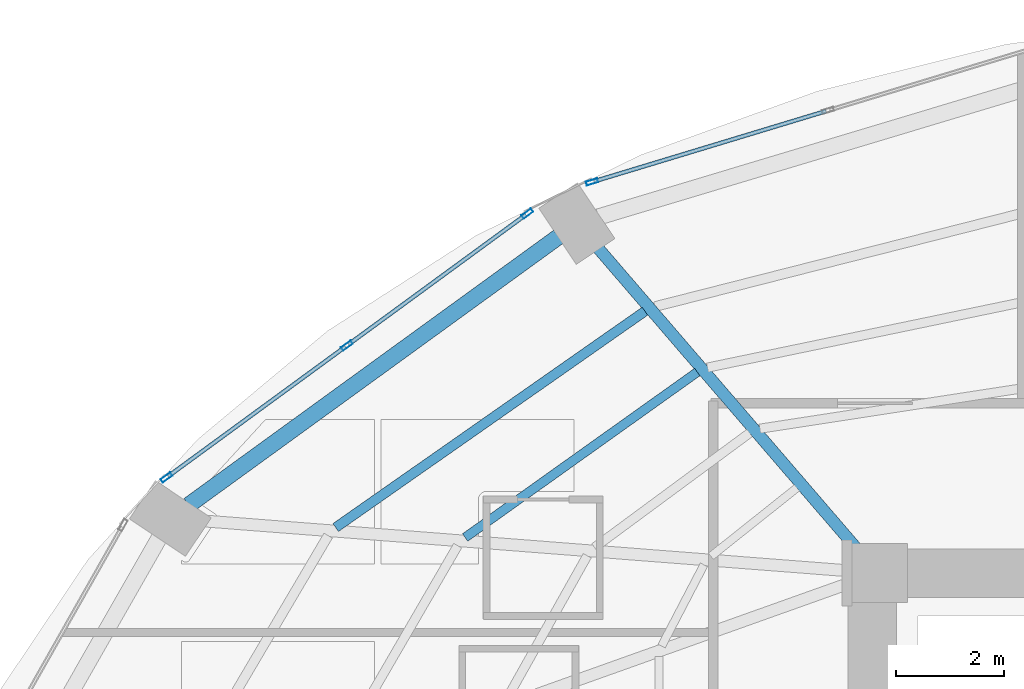
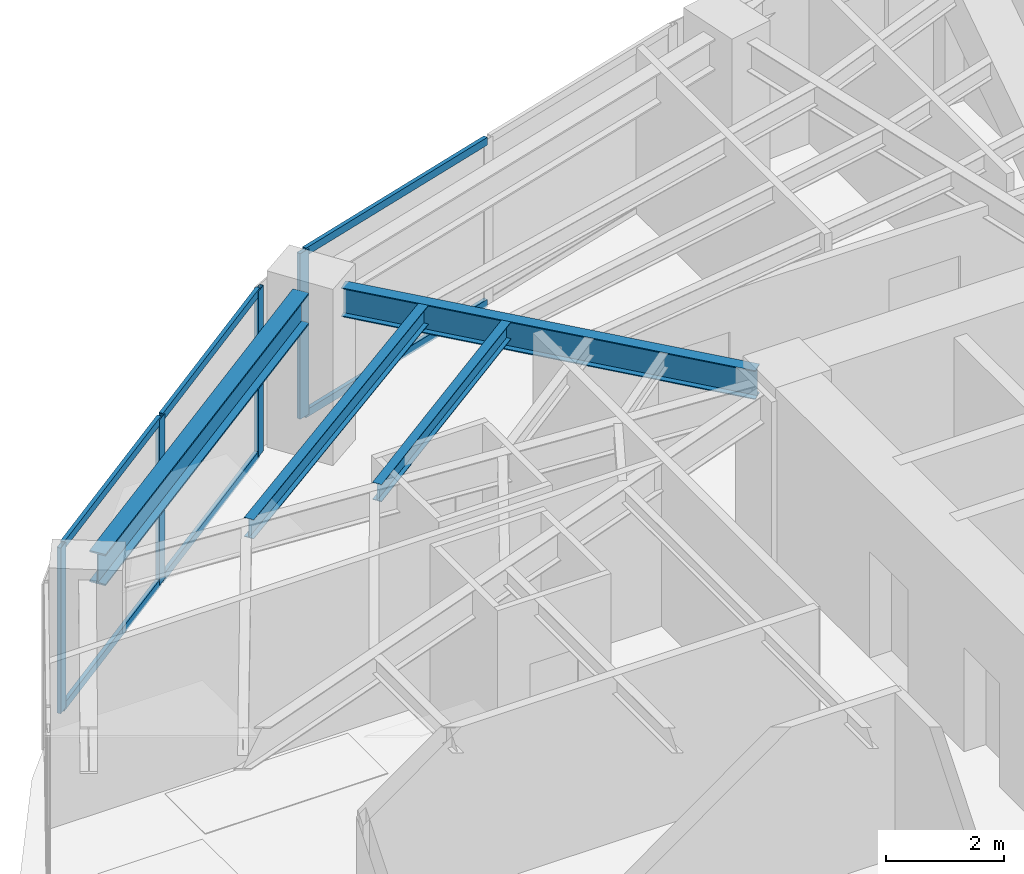
# One storey, part 14 of 25: 10 members, 4 beams, 2 elements without a shape of their own.
"""IFC4 building model written with IfcOpenShell, lengths in metres."""

import ifcopenshell
import ifcopenshell.guid

model = None  # the IFC model being written
_history = None  # IfcOwnerHistory: only IFC2X3 demands one
_inside = {}  # id of a spatial element -> (the spatial element, [elements in it])
_under = {}  # id of a project, library or spatial element -> (it, [spatial elements below it])
_declared = {}  # id of a project -> (the project, [libraries it declares])
_typed = {}  # id of a type object -> (the type object, [elements of that type])
_made_of = {}  # id of a material, layer set ... -> (it, [elements and type objects made of it])


def new_model(schema):
    """Start an empty IFC model of exactly this schema.

    Asked for "IFC4X3", IfcOpenShell would pick the latest addendum, in which some entities
    have other attributes; the version numbers below select the first issue.
    IFC2X3 requires an IfcOwnerHistory on every rooted entity: one is made here for all.
    """
    global model, _history
    if schema == "IFC4X3":
        model = ifcopenshell.file(schema_version=(4, 3, 0, 0))
    else:
        model = ifcopenshell.file(schema=schema)
    _inside.clear()
    _under.clear()
    _declared.clear()
    _typed.clear()
    _made_of.clear()
    _history = None
    if model.schema == "IFC2X3":
        org = make("IfcOrganization", Name="unknown")
        user = make(
            "IfcPersonAndOrganization",
            ThePerson=make("IfcPerson", FamilyName="unknown"),
            TheOrganization=org,
        )
        app = make(
            "IfcApplication",
            ApplicationDeveloper=org,
            Version="unknown",
            ApplicationFullName="unknown",
            ApplicationIdentifier="unknown",
        )
        _history = make(
            "IfcOwnerHistory",
            OwningUser=user,
            OwningApplication=app,
            ChangeAction="ADDED",
            CreationDate=0,
        )
    return model


def make(cls, **values):
    """One entity of the class cls with the attributes given. An attribute that is None is left unset."""
    return model.create_entity(
        cls, **{name: value for name, value in values.items() if value is not None}
    )


def rooted(cls, **values):
    """An entity with a GlobalId (a new one), such as an element, a storey or a relation."""
    return make(cls, GlobalId=ifcopenshell.guid.new(), OwnerHistory=_history, **values)


def si_unit(unit_type, name, prefix=None):
    """IfcSIUnit, for example si_unit("LENGTHUNIT", "METRE", prefix="MILLI")."""
    return make("IfcSIUnit", UnitType=unit_type, Prefix=prefix, Name=name)


def assignment(units):
    """IfcUnitAssignment: the units of a project."""
    return None if units is None else make("IfcUnitAssignment", Units=units)


def point(xyz):
    """IfcCartesianPoint."""
    return None if xyz is None else make("IfcCartesianPoint", Coordinates=xyz)


def direction(xyz):
    """IfcDirection."""
    return None if xyz is None else make("IfcDirection", DirectionRatios=xyz)


def frame(location, z_axis=None, x_axis=None):
    """IfcAxis2Placement3D, a coordinate frame: its origin and axes. An axis left out is left unset."""
    return make(
        "IfcAxis2Placement3D",
        Location=point(location),
        Axis=direction(z_axis),
        RefDirection=direction(x_axis),
    )


def frame_2d(location, x_axis=None):
    """IfcAxis2Placement2D, a coordinate frame in the plane: its origin and x axis."""
    return make(
        "IfcAxis2Placement2D", Location=point(location), RefDirection=direction(x_axis)
    )


def origin():
    """The frame at (0, 0, 0) with its axes left unset."""
    return frame((0.0, 0.0, 0.0))


def origin_2d():
    """The frame at (0, 0) in the plane with its x axis left unset."""
    return frame_2d((0.0, 0.0))


def place(relative_to, where):
    """IfcLocalPlacement: puts the frame where relative to a parent placement (None: the world)."""
    return make(
        "IfcLocalPlacement", PlacementRelTo=relative_to, RelativePlacement=where
    )


def context(
    kind, dimensions, precision=None, world=None, true_north=None, identifier=None
):
    """IfcGeometricRepresentationContext, for example the 3D "Model" context."""
    return make(
        "IfcGeometricRepresentationContext",
        ContextIdentifier=identifier,
        ContextType=kind,
        CoordinateSpaceDimension=dimensions,
        Precision=precision,
        WorldCoordinateSystem=world,
        TrueNorth=true_north,
    )


def subcontext(parent, identifier, kind, view, scale=None):
    """IfcGeometricRepresentationSubContext, for example "Body" below "Model"."""
    return make(
        "IfcGeometricRepresentationSubContext",
        ContextIdentifier=identifier,
        ContextType=kind,
        ParentContext=parent,
        TargetScale=scale,
        TargetView=view,
    )


def project(units=None, contexts=None):
    """IfcProject with its units and contexts."""
    return rooted(
        "IfcProject",
        Name="project",
        RepresentationContexts=contexts,
        UnitsInContext=assignment(units),
    )


def spatial(cls, under=None, at=None, **own):
    """A site, building, storey or space (cls), placed at a placement, below another one or the project."""
    s = rooted(cls, ObjectPlacement=at, **own)
    if under is not None:
        _under.setdefault(under.id(), (under, []))[1].append(s)
    return s


def profile(cls, at=None, kind="AREA", **sizes):
    """A parametric profile (cls). Its sizes go by their IFC names, for example OverallWidth=200.0."""
    return make(cls, ProfileType=kind, Position=at, **sizes)


def hollow_rectangle(**sizes):
    """IfcRectangleHollowProfileDef."""
    return profile("IfcRectangleHollowProfileDef", **sizes)


def i_section(**sizes):
    """IfcIShapeProfileDef."""
    return profile("IfcIShapeProfileDef", **sizes)


def extrude(swept, where, along, depth):
    """IfcExtrudedAreaSolid: the profile swept, set in the frame where, extruded along a direction by depth."""
    return make(
        "IfcExtrudedAreaSolid",
        SweptArea=swept,
        Position=where,
        ExtrudedDirection=direction(along),
        Depth=depth,
    )


def shape(context_of_items, identifier, shape_type, items):
    """IfcShapeRepresentation: the items that make up one representation, for example the "Body"."""
    return make(
        "IfcShapeRepresentation",
        ContextOfItems=context_of_items,
        RepresentationIdentifier=identifier,
        RepresentationType=shape_type,
        Items=items,
    )


def material(Name=None, Category=None):
    """IfcMaterial."""
    return make("IfcMaterial", Name=Name, Category=Category)


def layer(
    of_material, thickness, ventilated=None, Name=None, Category=None, Priority=None
):
    """IfcMaterialLayer: one layer of a wall or slab, of a material (None: an air gap)."""
    return make(
        "IfcMaterialLayer",
        Material=of_material,
        LayerThickness=thickness,
        IsVentilated=ventilated,
        Name=Name,
        Category=Category,
        Priority=Priority,
    )


def layer_set(layers, Name=None):
    """IfcMaterialLayerSet."""
    return make("IfcMaterialLayerSet", MaterialLayers=layers, LayerSetName=Name)


def material_profile(
    of_material, cross_section, Name=None, Category=None, Priority=None
):
    """IfcMaterialProfile: a cross section and its material."""
    return make(
        "IfcMaterialProfile",
        Name=Name,
        Material=of_material,
        Profile=cross_section,
        Priority=Priority,
        Category=Category,
    )


def profile_set(profiles, Name=None, composite=None):
    """IfcMaterialProfileSet."""
    return make(
        "IfcMaterialProfileSet",
        Name=Name,
        MaterialProfiles=profiles,
        CompositeProfile=composite,
    )


def made_of(thing, what):
    """Note that an element or type object is made of a material, layer set ...; save() writes the relation."""
    if what is not None:
        _made_of.setdefault(what.id(), (what, []))[1].append(thing)
    return thing


def type_object(cls, material=None, **own):
    """A type object (cls), such as IfcWallType, which elements share."""
    return made_of(rooted(cls, **own), material)


def element(
    cls,
    number,
    at=None,
    inside=None,
    cuts=None,
    type_object=None,
    material=None,
    context=None,
    identifier="Body",
    shape_type=None,
    held_by="IfcProductDefinitionShape",
    body=None,
    shapes=None,
    **own,
):
    """One element of the class cls, such as IfcWall. Its Tag is "e" and its number.

    at: its placement. inside: the storey or other place that contains it. cuts: it is an
    opening in that element (IfcRelVoidsElement). A single representation is given by context,
    identifier, shape_type and body (its items); several are given by shapes. held_by: the class
    of the entity that holds the representations. save() writes the other relations.
    """
    e = rooted(cls, Tag="e%d" % number, ObjectPlacement=at, **own)
    if body is not None:
        shapes = [shape(context, identifier, shape_type, body)]
    if shapes is not None:
        e.Representation = make(held_by, Representations=shapes)
    if inside is not None:
        _inside.setdefault(inside.id(), (inside, []))[1].append(e)
    if cuts is not None:
        rooted(
            "IfcRelVoidsElement", RelatingBuildingElement=cuts, RelatedOpeningElement=e
        )
    if type_object is not None:
        _typed.setdefault(type_object.id(), (type_object, []))[1].append(e)
    return made_of(e, material)


def aggregate(whole, parts):
    """IfcRelAggregates: a whole, such as a stair, and the parts it consists of."""
    return rooted("IfcRelAggregates", RelatingObject=whole, RelatedObjects=parts)


def save(model, path):
    """Write the relations noted so far, then the file.

    IfcRelAggregates (storeys below a building ...), IfcRelContainedInSpatialStructure (elements
    in a storey), IfcRelDefinesByType, IfcRelAssociatesMaterial and IfcRelDeclares: one each for
    every whole, place, type object, material and project.
    """
    for whole, parts in _under.values():
        aggregate(whole, parts)
    for where, things in _inside.values():
        rooted(
            "IfcRelContainedInSpatialStructure",
            RelatedElements=things,
            RelatingStructure=where,
        )
    for kind, things in _typed.values():
        rooted("IfcRelDefinesByType", RelatedObjects=things, RelatingType=kind)
    for what, things in _made_of.values():
        rooted("IfcRelAssociatesMaterial", RelatedObjects=things, RelatingMaterial=what)
    for by, libraries in _declared.values():
        rooted("IfcRelDeclares", RelatingContext=by, RelatedDefinitions=libraries)
    model.write(path)


model = new_model("IFC4")

# Units and contexts
model_context = context("Model", 3, precision=1e-05, world=origin(), true_north=direction((0.0, 1.0)))
body_context = subcontext(model_context, "Body", "Model", "MODEL_VIEW")
ifc_project = project(units=[si_unit("LENGTHUNIT", "METRE"), si_unit("AREAUNIT", "SQUARE_METRE"), si_unit("VOLUMEUNIT", "CUBIC_METRE"), si_unit("PLANEANGLEUNIT", "RADIAN"), si_unit("MASSUNIT", "GRAM", prefix="KILO")], contexts=[model_context])

# Site, building, storey
site_placement = place(None, origin())
site = spatial("IfcSite", under=ifc_project, at=site_placement, CompositionType="ELEMENT")
building_placement = place(site_placement, origin())
building = spatial("IfcBuilding", under=site, at=building_placement, Name="Lazwardi Medical Tower", CompositionType="ELEMENT")
storey_placement = place(building_placement, frame((0.0, 0.0, 47.087890625)))
storey = spatial("IfcBuildingStorey", under=building, at=storey_placement, Name="L11", CompositionType="ELEMENT", Elevation=47.087890625)

# Beams
ifc_material_1 = material(Name="Steel S355", Category="steel")
ifc_material_profile_1 = material_profile(ifc_material_1, i_section(OverallWidth=0.300048828125, OverallDepth=0.64990234375, WebThickness=0.01611328125, FlangeThickness=0.031005859375, at=origin_2d()), Name="HEB 650")
ifc_profile_set_1 = profile_set([ifc_material_profile_1], Name="Steel S355")
beam_type_1 = type_object("IfcBeamType", Name="BM-RB-Z1", PredefinedType="BEAM", material=ifc_profile_set_1)
beam_1_placement = place(storey_placement, frame((20.47900390625, 41.83740234375, 3.10302734375), z_axis=(-0.80939338516, -0.5872668457, 0.0), x_axis=(0.5872668457, -0.80939338516, 0.0)))
element("IfcBeam", 1, at=beam_1_placement, inside=storey, type_object=beam_type_1, Name="Ring beam RB-02 B10 L11", PredefinedType="BEAM", context=body_context, shape_type="SweptSolid", body=[
    extrude(i_section(OverallWidth=0.300048828125, OverallDepth=0.64990234375, WebThickness=0.01611328125, FlangeThickness=0.031005859375, at=origin_2d()), origin(), (0.0, 0.0, 1.0), 8.47412109375),
])
ifc_material_profile_2 = material_profile(ifc_material_1, i_section(OverallWidth=0.219970703125, OverallDepth=0.60009765625, WebThickness=0.011962890625, FlangeThickness=0.01904296875, at=origin_2d()), Name="IPE 600")
ifc_profile_set_2 = profile_set([ifc_material_profile_2], Name="Steel S355")
beam_type_2 = type_object("IfcBeamType", Name="BM-RG-W1", PredefinedType="BEAM", material=ifc_profile_set_2)
beam_2_placement = place(storey_placement, frame((21.197509765625, 41.644287109375, 3.128173828125), z_axis=(0.652368190463, -0.757902199543, 0.0), x_axis=(0.757902199543, 0.652368190463, 0.0)))
element("IfcBeam", 2, at=beam_2_placement, inside=storey, type_object=beam_type_2, Name="Radial girder RG-02 R10 L11", PredefinedType="BEAM", context=body_context, shape_type="SweptSolid", body=[
    extrude(i_section(OverallWidth=0.219970703125, OverallDepth=0.60009765625, WebThickness=0.011962890625, FlangeThickness=0.01904296875, at=origin_2d()), origin(), (0.0, 0.0, 1.0), 7.43994140625),
])
ifc_material_profile_3 = material_profile(ifc_material_1, i_section(OverallWidth=0.179931640625, OverallDepth=0.39990234375, WebThickness=0.008544921875, FlangeThickness=0.013427734375, at=origin_2d()), Name="IPE 400")
ifc_profile_set_3 = profile_set([ifc_material_profile_3], Name="Steel S355")
beam_type_3 = type_object("IfcBeamType", Name="BM-SJ-01", PredefinedType="JOIST", material=ifc_profile_set_3)
beam_3_placement = place(storey_placement, frame((22.08203125, 40.456298828125, 3.22802734375), z_axis=(-0.81942522483, -0.573186096231, 0.0), x_axis=(0.573186096231, -0.81942522483, 0.0)))
element("IfcBeam", 3, at=beam_3_placement, inside=storey, type_object=beam_type_3, Name="Secondary joist SJ-01 R1 B10 L11", PredefinedType="JOIST", context=body_context, shape_type="SweptSolid", body=[
    extrude(i_section(OverallWidth=0.179931640625, OverallDepth=0.39990234375, WebThickness=0.008544921875, FlangeThickness=0.013427734375, at=origin_2d()), origin(), (0.0, 0.0, 1.0), 6.999755859375),
])
ifc_material_profile_4 = material_profile(ifc_material_1, i_section(OverallWidth=0.169921875, OverallDepth=0.360107421875, WebThickness=0.008056640625, FlangeThickness=0.0126953125, at=origin_2d()), Name="IPE 360")
ifc_profile_set_4 = profile_set([ifc_material_profile_4], Name="Steel S355")
beam_type_4 = type_object("IfcBeamType", Name="BM-SJ-02", PredefinedType="JOIST", material=ifc_profile_set_4)
beam_4_placement = place(storey_placement, frame((23.05322265625, 39.327880859375, 3.248046875), z_axis=(-0.814341377136, -0.580386183058, 0.0), x_axis=(0.580386183058, -0.814341377136, 0.0)))
element("IfcBeam", 4, at=beam_4_placement, inside=storey, type_object=beam_type_4, Name="Secondary joist SJ-02 R2 B10 L11", PredefinedType="JOIST", context=body_context, shape_type="SweptSolid", body=[
    extrude(i_section(OverallWidth=0.169921875, OverallDepth=0.360107421875, WebThickness=0.008056640625, FlangeThickness=0.0126953125, at=origin_2d()), origin(), (0.0, 0.0, 1.0), 5.28759765625),
])

# Curtain wall, member
ifc_material_2 = material(Name="Anodised bronze aluminium and solar control glazing", Category="aluminium")
ifc_layer = layer(ifc_material_2, 0.199951171875)
ifc_layer_set = layer_set([ifc_layer], Name="Anodised bronze aluminium and solar control glazing")
curtain_wall_type = type_object("IfcCurtainWallType", Name="CW-SYS-02", PredefinedType="NOTDEFINED", material=ifc_layer_set)
curtain_wall_1_placement = place(storey_placement, origin())
curtain_wall_1 = element("IfcCurtainWall", 5, at=curtain_wall_1_placement, inside=storey, type_object=curtain_wall_type, Name="L11 Unitised bronze curtain wall CW-02", PredefinedType="NOTDEFINED")
ifc_material_3 = material(Name="Anodised bronze aluminium", Category="aluminium")
ifc_material_profile_5 = material_profile(ifc_material_3, hollow_rectangle(XDim=0.074951171875, YDim=0.219970703125, WallThickness=0.00390625, at=origin_2d()), Name="ALU-MULLION 220x75x4")
ifc_profile_set_5 = profile_set([ifc_material_profile_5], Name="Anodised bronze aluminium")
member_type_1 = type_object("IfcMemberType", Name="CW-MUL-01", PredefinedType="MULLION", material=ifc_profile_set_5)
member_1_placement = place(storey_placement, frame((21.1015625, 42.853271484375, 0.0), z_axis=(0.0, 0.0, 1.0), x_axis=(0.2898956909, -0.957058247129, 0.0)))
member_1 = element("IfcMember", 6, at=member_1_placement, type_object=member_type_1, Name="CW-02 mullion 3", PredefinedType="MULLION", context=body_context, shape_type="SweptSolid", body=[
    extrude(hollow_rectangle(XDim=0.074951171875, YDim=0.219970703125, WallThickness=0.00390625, at=origin_2d()), origin(), (0.0, 0.0, 1.0), 3.42822265625),
])

# Curtain wall, members
curtain_wall_2_placement = place(storey_placement, origin())
curtain_wall_2 = element("IfcCurtainWall", 7, at=curtain_wall_2_placement, inside=storey, type_object=curtain_wall_type, Name="L11 Unitised bronze curtain wall CW-02", PredefinedType="NOTDEFINED")
member_2_placement = place(storey_placement, frame((19.9013671875, 42.26611328125, 0.0), z_axis=(0.0, 0.0, 1.0), x_axis=(0.590289307341, -0.807191757663, 0.0)))
member_2 = element("IfcMember", 8, at=member_2_placement, type_object=member_type_1, Name="CW-02 mullion 1", PredefinedType="MULLION", context=body_context, shape_type="SweptSolid", body=[
    extrude(hollow_rectangle(XDim=0.074951171875, YDim=0.219970703125, WallThickness=0.00390625, at=origin_2d()), origin(), (0.0, 0.0, 1.0), 3.42822265625),
])
member_3_placement = place(storey_placement, frame((16.5556640625, 39.8193359375, 0.0), z_axis=(0.0, 0.0, 1.0), x_axis=(0.590289307341, -0.807191757663, 0.0)))
member_3 = element("IfcMember", 9, at=member_3_placement, type_object=member_type_1, Name="CW-02 mullion 2", PredefinedType="MULLION", context=body_context, shape_type="SweptSolid", body=[
    extrude(hollow_rectangle(XDim=0.074951171875, YDim=0.219970703125, WallThickness=0.00390625, at=origin_2d()), origin(), (0.0, 0.0, 1.0), 3.42822265625),
])
member_4_placement = place(storey_placement, frame((13.209716796875, 37.37255859375, 0.0), z_axis=(0.0, 0.0, 1.0), x_axis=(0.590289307341, -0.807191757663, 0.0)))
member_4 = element("IfcMember", 10, at=member_4_placement, type_object=member_type_1, Name="CW-02 mullion 3", PredefinedType="MULLION", context=body_context, shape_type="SweptSolid", body=[
    extrude(hollow_rectangle(XDim=0.074951171875, YDim=0.219970703125, WallThickness=0.00390625, at=origin_2d()), origin(), (0.0, 0.0, 1.0), 3.42822265625),
])

# Member
ifc_material_profile_6 = material_profile(ifc_material_3, hollow_rectangle(XDim=0.074951171875, YDim=0.159912109375, WallThickness=0.00390625, at=origin_2d()), Name="ALU-TRANSOM 160x75x4")
ifc_profile_set_6 = profile_set([ifc_material_profile_6], Name="Anodised bronze aluminium")
member_type_2 = type_object("IfcMemberType", Name="CW-TRN-01", PredefinedType="USERDEFINED", material=ifc_profile_set_6)
member_5_placement = place(storey_placement, frame((25.44091796875, 44.16748046875, 0.03759765625), z_axis=(-0.957062297904, -0.289882317383, 0.0), x_axis=(0.289882317383, -0.957062297904, 0.0)))
member_5 = element("IfcMember", 11, at=member_5_placement, type_object=member_type_2, Name="CW-02 transom 2.1", ObjectType="TRANSOM", PredefinedType="USERDEFINED", context=body_context, shape_type="SweptSolid", body=[
    extrude(hollow_rectangle(XDim=0.074951171875, YDim=0.159912109375, WallThickness=0.00390625, at=origin_2d()), origin(), (0.0, 0.0, 1.0), 4.49658203125),
])

member_6_placement = place(storey_placement, frame((25.44091796875, 44.16748046875, 3.390625), z_axis=(-0.957062297904, -0.289882317383, 0.0), x_axis=(0.289882317383, -0.957062297904, 0.0)))
member_6 = element("IfcMember", 12, at=member_6_placement, type_object=member_type_2, Name="CW-02 transom 2.2", ObjectType="TRANSOM", PredefinedType="USERDEFINED", context=body_context, shape_type="SweptSolid", body=[
    extrude(hollow_rectangle(XDim=0.074951171875, YDim=0.159912109375, WallThickness=0.00390625, at=origin_2d()), origin(), (0.0, 0.0, 1.0), 4.49658203125),
])

aggregate(curtain_wall_1, [member_1, member_5, member_6])

member_7_placement = place(storey_placement, frame((19.87109375, 42.243896484375, 0.03759765625), z_axis=(-0.807197636578, -0.590281268128, 0.0), x_axis=(0.590281268128, -0.807197636578, 0.0)))
member_7 = element("IfcMember", 13, at=member_7_placement, type_object=member_type_2, Name="CW-02 transom 1.1", ObjectType="TRANSOM", PredefinedType="USERDEFINED", context=body_context, shape_type="SweptSolid", body=[
    extrude(hollow_rectangle(XDim=0.074951171875, YDim=0.159912109375, WallThickness=0.00390625, at=origin_2d()), origin(), (0.0, 0.0, 1.0), 4.06982421875),
])

member_8_placement = place(storey_placement, frame((19.87109375, 42.243896484375, 3.390625), z_axis=(-0.807197636578, -0.590281268128, 0.0), x_axis=(0.590281268128, -0.807197636578, 0.0)))
member_8 = element("IfcMember", 14, at=member_8_placement, type_object=member_type_2, Name="CW-02 transom 1.2", ObjectType="TRANSOM", PredefinedType="USERDEFINED", context=body_context, shape_type="SweptSolid", body=[
    extrude(hollow_rectangle(XDim=0.074951171875, YDim=0.159912109375, WallThickness=0.00390625, at=origin_2d()), origin(), (0.0, 0.0, 1.0), 4.06982421875),
])

member_9_placement = place(storey_placement, frame((16.525390625, 39.797119140625, 0.03759765625), z_axis=(-0.807218536774, -0.590252686472, 0.0), x_axis=(0.590252686472, -0.807218536774, 0.0)))
member_9 = element("IfcMember", 15, at=member_9_placement, type_object=member_type_2, Name="CW-02 transom 2.1", ObjectType="TRANSOM", PredefinedType="USERDEFINED", context=body_context, shape_type="SweptSolid", body=[
    extrude(hollow_rectangle(XDim=0.074951171875, YDim=0.159912109375, WallThickness=0.00390625, at=origin_2d()), origin(), (0.0, 0.0, 1.0), 4.070068359375),
])

member_10_placement = place(storey_placement, frame((16.525390625, 39.797119140625, 3.390625), z_axis=(-0.807218536774, -0.590252686472, 0.0), x_axis=(0.590252686472, -0.807218536774, 0.0)))
member_10 = element("IfcMember", 16, at=member_10_placement, type_object=member_type_2, Name="CW-02 transom 2.2", ObjectType="TRANSOM", PredefinedType="USERDEFINED", context=body_context, shape_type="SweptSolid", body=[
    extrude(hollow_rectangle(XDim=0.074951171875, YDim=0.159912109375, WallThickness=0.00390625, at=origin_2d()), origin(), (0.0, 0.0, 1.0), 4.070068359375),
])

aggregate(curtain_wall_2, [member_2, member_3, member_4, member_7, member_8, member_9, member_10])

save(model, "model.ifc")
